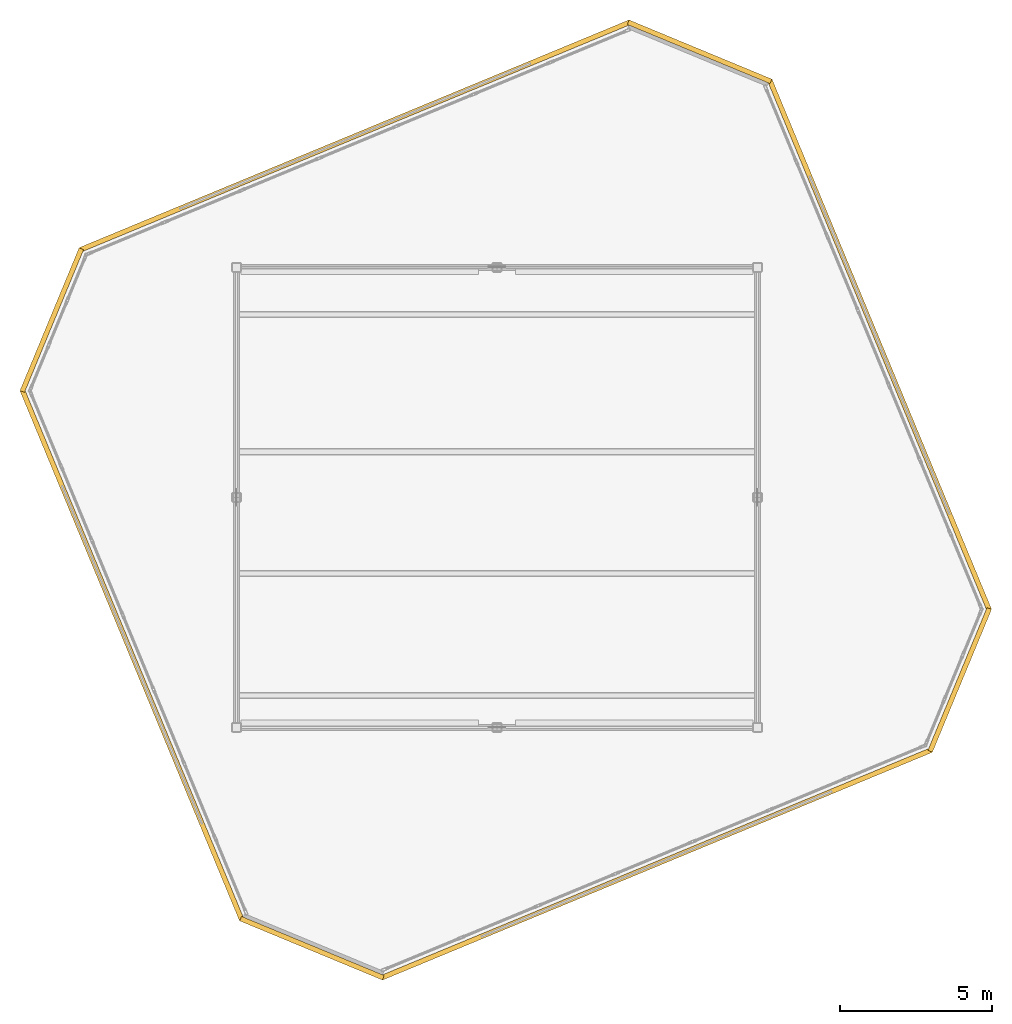
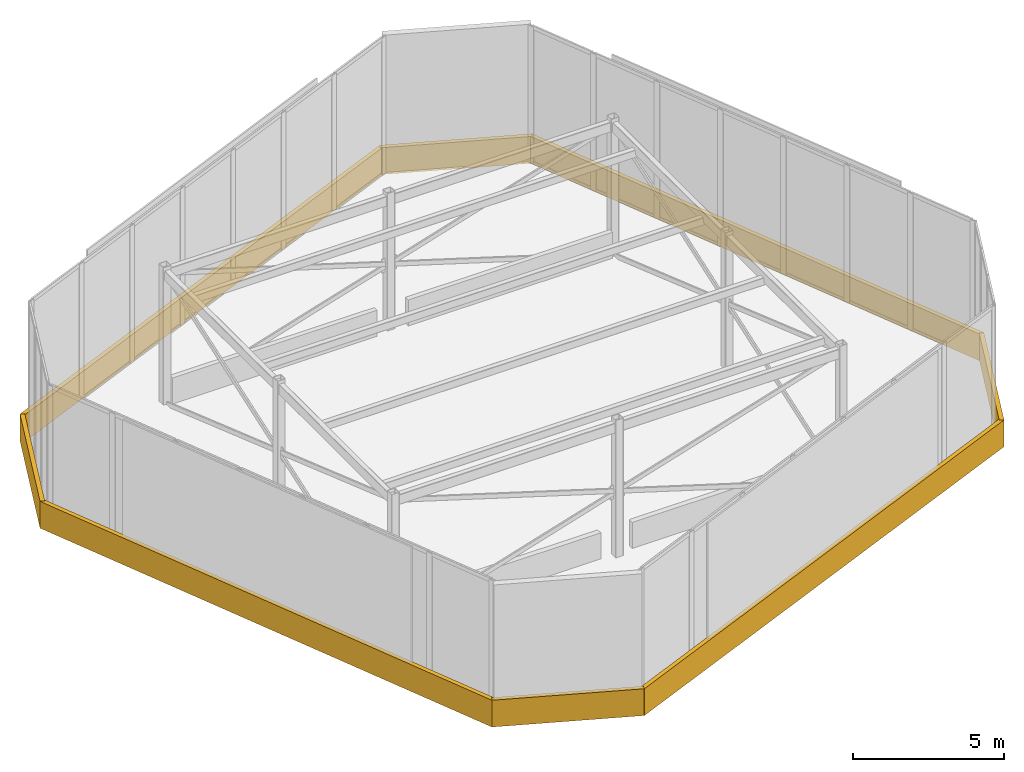
# One storey, part 12 of 12: 8 coverings.
"""IFC4 building model written with IfcOpenShell, lengths in metres."""

from ifc_helpers import new_model, si_unit, direction, frame, origin, origin_2d, place, context, subcontext, project, spatial, rectangle, extrude, source, transform, mapped, material, layer, layer_set, type_object, element, save


model = new_model("IFC4")

# Units and contexts
model_context = context("Model", 3, precision=1e-05, world=origin(), true_north=direction((0.0, 1.0)))
body_context = subcontext(model_context, "Body", "Model", "MODEL_VIEW")
ifc_project = project(units=[si_unit("LENGTHUNIT", "METRE"), si_unit("AREAUNIT", "SQUARE_METRE"), si_unit("VOLUMEUNIT", "CUBIC_METRE"), si_unit("PLANEANGLEUNIT", "RADIAN"), si_unit("MASSUNIT", "GRAM", prefix="KILO")], contexts=[model_context])

# Site, building, storey
site_placement = place(None, origin())
site = spatial("IfcSite", under=ifc_project, at=site_placement, CompositionType="ELEMENT")
building_placement = place(site_placement, origin())
building = spatial("IfcBuilding", under=site, at=building_placement, Name="Torre Montelarca", CompositionType="ELEMENT")
storey_placement = place(building_placement, frame((0.0, 0.0, 370.60009765625)))
storey = spatial("IfcBuildingStorey", under=building, at=storey_placement, Name="RF", CompositionType="ELEMENT", Elevation=370.60009765625)

# Coverings
ifc_material = material(Name="Bush-hammered warm white precast concrete C45/55", Category="concrete")
ifc_layer = layer(ifc_material, 0.139892578125, Name="Bush-hammered warm white precast concrete C45/55", Category="concrete")
ifc_layer_set = layer_set([ifc_layer], Name="Bush-hammered warm white precast concrete C45/55")
covering_type = type_object("IfcCoveringType", Name="COV-TRAY-CLAD", PredefinedType="CLADDING", material=ifc_layer_set)
shared_shape_1 = source(origin(), body_context, "Body", "SweptSolid", [
    extrude(rectangle(XDim=18.820068359375, YDim=0.159912109375, at=origin_2d()), origin(), (0.0, 0.0, 1.0), 1.080078125),
])
for number, where, z_axis, x_axis, name in (
    (1, (6.019287109375, 26.83251953125, -0.16015625), (0.0, 0.0, 1.0), (0.382683432365, -0.923879532511, 0.0), "RF Architectural White Spandrel Tray Band CRNBOT-01"),
    (2, (30.557373046875, 36.99658203125, -0.16015625), (0.0, 0.0, 1.0), (-0.382685044838, 0.923878864601, 0.0), "RF Architectural White Spandrel Tray Band CRNBOT-05"),
):
    element("IfcCovering", number, at=place(storey_placement, frame(where, z_axis=z_axis, x_axis=x_axis)), inside=storey, type_object=covering_type, Name=name, PredefinedType="CLADDING", context=body_context, shape_type="MappedRepresentation", body=[
        mapped(shared_shape_1, transform((0.0, 0.0, 0.0), scale=1.0)),
    ])
shared_shape_2 = source(origin(), body_context, "Body", "SweptSolid", [
    extrude(rectangle(XDim=5.069580078125, YDim=0.159912109375, at=origin_2d()), origin(), (0.0, 0.0, 1.0), 1.080078125),
])
for number, where, z_axis, x_axis, name in (
    (3, (11.927001953125, 17.20361328125, -0.16015625), (0.0, 0.0, 1.0), (0.923876192933, -0.38269149472, 0.0), "RF Architectural White Spandrel Tray Band CRNBOT-02"),
    (4, (3.38818359375, 37.818359375, -0.16015625), (0.0, 0.0, 1.0), (-0.38269149472, -0.923876192933, 0.0), "RF Architectural White Spandrel Tray Band CRNBOT-08"),
):
    element("IfcCovering", number, at=place(storey_placement, frame(where, z_axis=z_axis, x_axis=x_axis)), inside=storey, type_object=covering_type, Name=name, PredefinedType="CLADDING", context=body_context, shape_type="MappedRepresentation", body=[
        mapped(shared_shape_2, transform((0.0, 0.0, 0.0), scale=1.0)),
    ])
shared_shape_3 = source(origin(), body_context, "Body", "SweptSolid", [
    extrude(rectangle(XDim=19.52001953125, YDim=0.159912109375, at=origin_2d()), origin(), (0.0, 0.0, 1.0), 1.080078125),
])
for number, where, z_axis, x_axis, name in (
    (5, (23.236328125, 19.968505859375, -0.16015625), (0.0, 0.0, 1.0), (0.923878864601, 0.382685044838, 0.0), "RF Architectural White Spandrel Tray Band CRNBOT-03"),
    (6, (13.340087890625, 43.860107421875, -0.16015625), (0.0, 0.0, 1.0), (-0.923878196688, -0.382686657311, 0.0), "RF Architectural White Spandrel Tray Band CRNBOT-07"),
):
    element("IfcCovering", number, at=place(storey_placement, frame(where, z_axis=z_axis, x_axis=x_axis)), inside=storey, type_object=covering_type, Name=name, PredefinedType="CLADDING", context=body_context, shape_type="MappedRepresentation", body=[
        mapped(shared_shape_3, transform((0.0, 0.0, 0.0), scale=1.0)),
    ])
shared_shape_4 = source(origin(), body_context, "Body", "SweptSolid", [
    extrude(rectangle(XDim=5.06982421875, YDim=0.159912109375, at=origin_2d()), origin(), (0.0, 0.0, 1.0), 1.080078125),
])
for number, where, z_axis, x_axis, name in (
    (7, (33.1884765625, 26.010498046875, -0.16015625), (0.0, 0.0, 1.0), (0.382683432365, 0.923879532511, 0.0), "RF Architectural White Spandrel Tray Band CRNBOT-04"),
    (8, (24.6494140625, 46.625, -0.16015625), (0.0, 0.0, 1.0), (-0.923879532511, 0.382683432365, 0.0), "RF Architectural White Spandrel Tray Band CRNBOT-06"),
):
    element("IfcCovering", number, at=place(storey_placement, frame(where, z_axis=z_axis, x_axis=x_axis)), inside=storey, type_object=covering_type, Name=name, PredefinedType="CLADDING", context=body_context, shape_type="MappedRepresentation", body=[
        mapped(shared_shape_4, transform((0.0, 0.0, 0.0), scale=1.0)),
    ])

save(model, "model.ifc")
